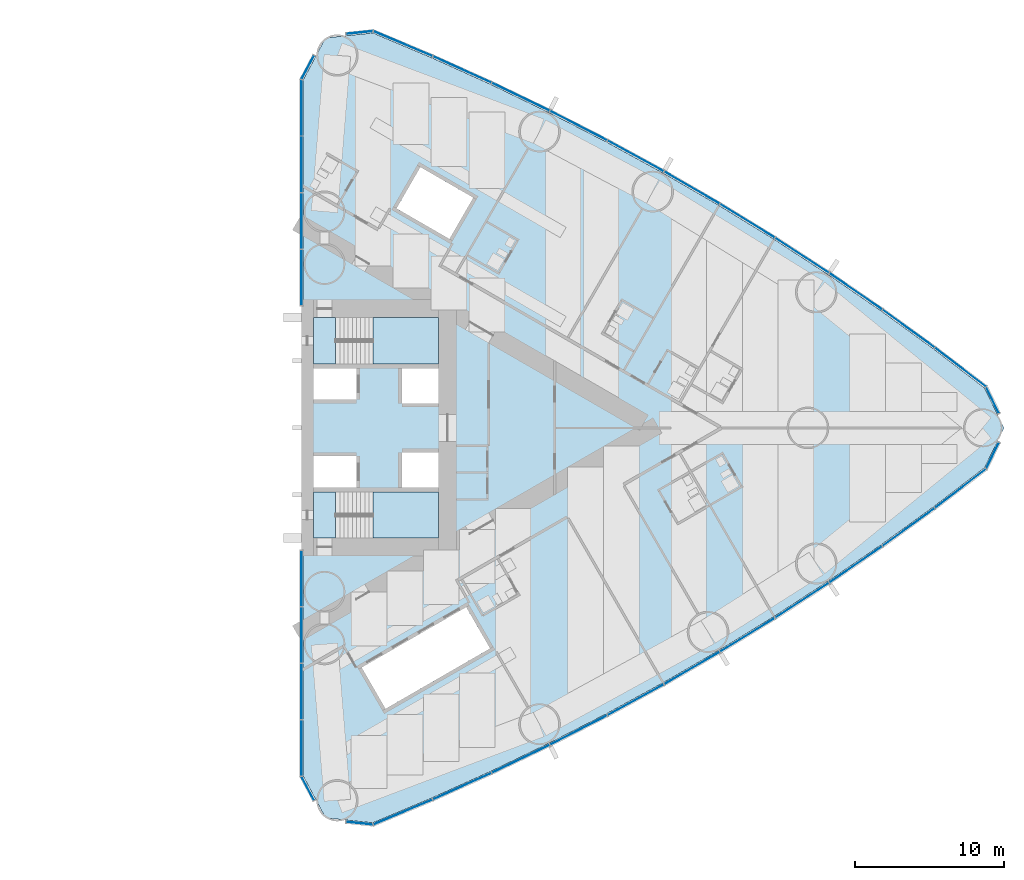
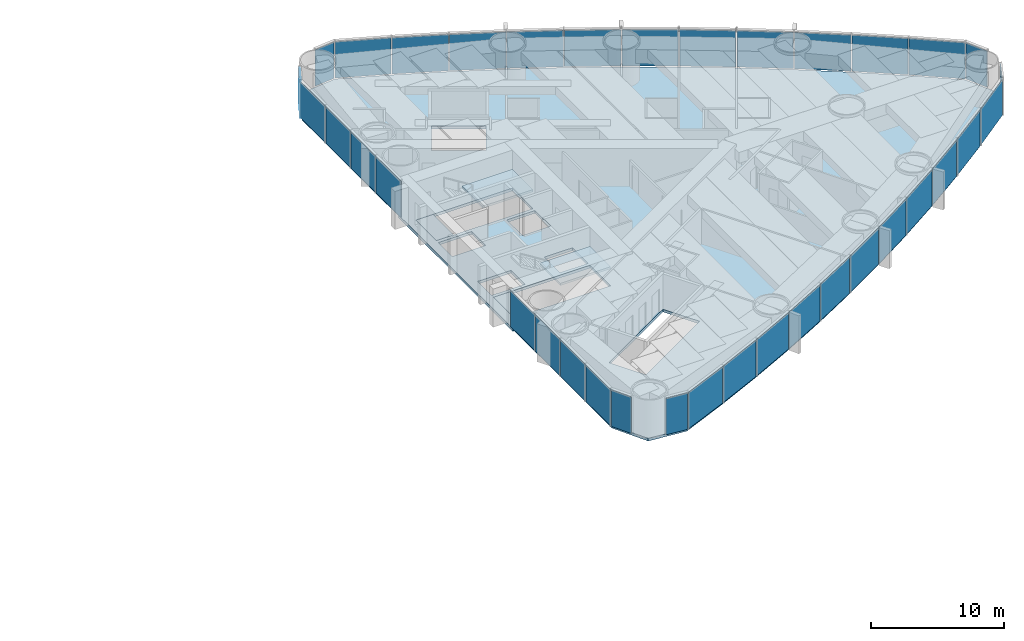
# One storey, part 10 of 19: 36 plates, 5 slabs, 6 elements without a shape of their own.
"""IFC4 building model written with IfcOpenShell, lengths in metres."""

from ifc_helpers import new_model, si_unit, direction, frame, origin, origin_2d, place, context, subcontext, project, spatial, polyline, rectangle, outline, extrude, material, layer, layer_set, type_object, element, aggregate, save


model = new_model("IFC4")

# Units and contexts
model_context = context("Model", 3, precision=1e-05, world=origin(), true_north=direction((0.0, 1.0)))
body_context = subcontext(model_context, "Body", "Model", "MODEL_VIEW")
ifc_project = project(units=[si_unit("LENGTHUNIT", "METRE"), si_unit("AREAUNIT", "SQUARE_METRE"), si_unit("VOLUMEUNIT", "CUBIC_METRE"), si_unit("PLANEANGLEUNIT", "RADIAN"), si_unit("MASSUNIT", "GRAM", prefix="KILO")], contexts=[model_context])

# Site, building, storey
site_placement = place(None, origin())
site = spatial("IfcSite", under=ifc_project, at=site_placement, CompositionType="ELEMENT")
building_placement = place(site_placement, origin())
building = spatial("IfcBuilding", under=site, at=building_placement, Name="Lancet Gate Hotel", CompositionType="ELEMENT")
storey_placement = place(building_placement, frame((0.0, 0.0, 25.0)))
storey = spatial("IfcBuildingStorey", under=building, at=storey_placement, Name="L05", CompositionType="ELEMENT", Elevation=25.0)

# Slab
ifc_material_1 = material(Name="Concrete C50/60", Category="concrete")
ifc_layer_1 = layer(ifc_material_1, 0.25)
ifc_layer_set_1 = layer_set([ifc_layer_1], Name="Floor slab 250")
slab_type_1 = type_object("IfcSlabType", Name="Floor slab 250", PredefinedType="FLOOR", material=ifc_layer_set_1)
slab_1_placement = place(storey_placement, frame((0.0, 0.0, -0.25)))
element("IfcSlab", 1, at=slab_1_placement, inside=storey, type_object=slab_type_1, Name="T2 L05 floor slab", PredefinedType="FLOOR", context=body_context, shape_type="SweptSolid", body=[
    extrude(outline(polyline([(27.5, -8.60009765625), (27.6201171875, -8.60009765625), (27.6201171875, -23.35498046875), (29.12158203125, -26.175537109375), (32.299072265625, -26.5048828125), (36.26708984375, -24.833740234375), (40.2177734375, -23.050048828125), (44.121826171875, -21.16650390625), (47.9765625, -19.18408203125), (51.77978515625, -17.104248046875), (55.528564453125, -14.92822265625), (59.220947265625, -12.657470703125), (62.854248046875, -10.29345703125), (66.42626953125, -7.837890625), (69.934814453125, -5.292236328125), (73.355712890625, -2.67431640625), (74.65576171875, 0.0), (73.355712890625, 2.67431640625), (69.934814453125, 5.292236328125), (66.42626953125, 7.837890625), (62.854248046875, 10.29345703125), (59.220947265625, 12.657470703125), (55.528564453125, 14.92822265625), (51.77978515625, 17.104248046875), (47.9765625, 19.18408203125), (44.121826171875, 21.16650390625), (40.2177734375, 23.050048828125), (36.26708984375, 24.833740234375), (32.299072265625, 26.5048828125), (29.12158203125, 26.175537109375), (27.6201171875, 23.35498046875), (27.6201171875, 8.60009765625), (27.5, 8.60009765625), (27.5, 8.199951171875), (27.5, -8.199951171875), (27.5, -8.60009765625)]), holes=[polyline([(36.699951171875, -7.39990234375), (36.699951171875, -4.300048828125), (28.300048828125, -4.300048828125), (28.300048828125, -7.39990234375), (36.699951171875, -7.39990234375)]), polyline([(28.300048828125, -4.0), (31.199951171875, -4.0), (31.199951171875, -1.89990234375), (28.300048828125, -1.89990234375), (28.300048828125, -4.0)]), polyline([(34.25, -4.0), (36.699951171875, -4.0), (36.699951171875, -1.64990234375), (34.25, -1.64990234375), (34.25, -4.0)]), polyline([(36.699951171875, 1.64990234375), (36.699951171875, 4.0), (34.25, 4.0), (34.25, 1.64990234375), (36.699951171875, 1.64990234375)]), polyline([(28.300048828125, 1.89990234375), (31.199951171875, 1.89990234375), (31.199951171875, 4.0), (28.300048828125, 4.0), (28.300048828125, 1.89990234375)]), polyline([(28.300048828125, 4.300048828125), (36.699951171875, 4.300048828125), (36.699951171875, 7.39990234375), (28.300048828125, 7.39990234375), (28.300048828125, 4.300048828125)]), polyline([(31.549072265625, -16.0810546875), (33.14892578125, -18.85205078125), (40.1640625, -14.802001953125), (38.56396484375, -12.031005859375), (31.549072265625, -16.0810546875)]), polyline([(33.887939453125, 14.73095703125), (37.43798828125, 12.680908203125), (39.0380859375, 15.451904296875), (35.488037109375, 17.501953125), (33.887939453125, 14.73095703125)])]), origin(), (0.0, 0.0, 1.0), 0.25),
])

# Stair, slabs
ifc_material_2 = material(Name="Exit stair 20 risers 1500")
stair_type = type_object("IfcStairType", Name="Exit stair 20 risers 1500", PredefinedType="HALF_TURN_STAIR", material=ifc_material_2)
stair_1_placement = place(storey_placement, origin())
stair_1 = element("IfcStair", 2, at=stair_1_placement, inside=storey, type_object=stair_type, Name="T2 stair 1 L05", PredefinedType="HALF_TURN_STAIR")
ifc_material_3 = material(Name="Concrete C40/50", Category="concrete")
ifc_layer_2 = layer(ifc_material_3, 0.199951171875)
ifc_layer_set_2 = layer_set([ifc_layer_2], Name="Stair landing 200")
slab_type_2 = type_object("IfcSlabType", Name="Stair landing 200", PredefinedType="LANDING", material=ifc_layer_set_2)
slab_2_placement = place(storey_placement, frame((0.0, 0.0, -0.199951171875)))
slab_2 = element("IfcSlab", 3, at=slab_2_placement, type_object=slab_type_2, Name="ST3 landing 1", PredefinedType="LANDING", context=body_context, shape_type="SweptSolid", body=[
    extrude(outline(polyline([(28.300048828125, -7.39990234375), (29.800048828125, -7.39990234375), (29.800048828125, -4.300048828125), (28.300048828125, -4.300048828125), (28.300048828125, -7.39990234375)])), origin(), (0.0, 0.0, 1.0), 0.199951171875),
])
slab_3_placement = place(storey_placement, frame((0.0, 0.0, 1.550048828125)))
slab_3 = element("IfcSlab", 4, at=slab_3_placement, type_object=slab_type_2, Name="ST3 landing 2", PredefinedType="LANDING", context=body_context, shape_type="SweptSolid", body=[
    extrude(outline(polyline([(32.320068359375, -7.39990234375), (36.699951171875, -7.39990234375), (36.699951171875, -4.300048828125), (32.320068359375, -4.300048828125), (32.320068359375, -7.39990234375)])), origin(), (0.0, 0.0, 1.0), 0.199951171875),
])
aggregate(stair_1, [slab_2, slab_3])

stair_2_placement = place(storey_placement, origin())
stair_2 = element("IfcStair", 5, at=stair_2_placement, inside=storey, type_object=stair_type, Name="T2 stair 2 L05", PredefinedType="HALF_TURN_STAIR")
slab_4_placement = place(storey_placement, frame((0.0, 0.0, -0.199951171875)))
slab_4 = element("IfcSlab", 6, at=slab_4_placement, type_object=slab_type_2, Name="ST4 landing 1", PredefinedType="LANDING", context=body_context, shape_type="SweptSolid", body=[
    extrude(outline(polyline([(28.300048828125, 4.300048828125), (29.800048828125, 4.300048828125), (29.800048828125, 7.39990234375), (28.300048828125, 7.39990234375), (28.300048828125, 4.300048828125)])), origin(), (0.0, 0.0, 1.0), 0.199951171875),
])
slab_5_placement = place(storey_placement, frame((0.0, 0.0, 1.550048828125)))
slab_5 = element("IfcSlab", 7, at=slab_5_placement, type_object=slab_type_2, Name="ST4 landing 2", PredefinedType="LANDING", context=body_context, shape_type="SweptSolid", body=[
    extrude(outline(polyline([(32.320068359375, 4.300048828125), (36.699951171875, 4.300048828125), (36.699951171875, 7.39990234375), (32.320068359375, 7.39990234375), (32.320068359375, 4.300048828125)])), origin(), (0.0, 0.0, 1.0), 0.199951171875),
])
aggregate(stair_2, [slab_4, slab_5])

# Curtain wall, plates
ifc_material_4 = material(Name="Aluminium curtain wall", Category="aluminium")
curtain_wall_type = type_object("IfcCurtainWallType", Name="Tower unitised curtain wall", PredefinedType="USERDEFINED", material=ifc_material_4)
curtain_wall_1_placement = place(storey_placement, origin())
curtain_wall_1 = element("IfcCurtainWall", 8, at=curtain_wall_1_placement, inside=storey, type_object=curtain_wall_type, Name="T2 L05 curtain wall 1", ObjectType="UNITISED CURTAIN WALL", PredefinedType="USERDEFINED")
ifc_material_5 = material(Name="Glass double glazed unit 8-16-6", Category="glass")
ifc_layer_3 = layer(ifc_material_5, 0.030029296875)
ifc_layer_set_3 = layer_set([ifc_layer_3], Name="Vision panel double glazed")
plate_type = type_object("IfcPlateType", Name="Vision panel double glazed", PredefinedType="CURTAIN_PANEL", material=ifc_layer_set_3)
plate_1_placement = place(storey_placement, frame((27.5, -10.09814453125, 0.0), z_axis=(0.0, 0.0, 1.0), x_axis=(0.0, -1.0, 0.0)))
plate_1 = element("IfcPlate", 9, at=plate_1_placement, type_object=plate_type, Name="T2 L05 curtain wall 1 panel 1", PredefinedType="CURTAIN_PANEL", context=body_context, shape_type="SweptSolid", body=[
    extrude(rectangle(XDim=3.731201171875, YDim=0.030029296875, at=origin_2d()), origin(), (0.0, 0.0, 1.0), 3.35009765625),
])
plate_2_placement = place(storey_placement, frame((27.5, -13.894287109375, 0.0), z_axis=(0.0, 0.0, 1.0), x_axis=(0.0, -1.0, 0.0)))
plate_2 = element("IfcPlate", 10, at=plate_2_placement, type_object=plate_type, Name="T2 L05 curtain wall 1 panel 2", PredefinedType="CURTAIN_PANEL", context=body_context, shape_type="SweptSolid", body=[
    extrude(rectangle(XDim=3.731201171875, YDim=0.030029296875, at=origin_2d()), origin(), (0.0, 0.0, 1.0), 3.35009765625),
])
plate_3_placement = place(storey_placement, frame((27.5, -17.6904296875, 0.0), z_axis=(0.0, 0.0, 1.0), x_axis=(0.0, -1.0, 0.0)))
plate_3 = element("IfcPlate", 11, at=plate_3_placement, type_object=plate_type, Name="T2 L05 curtain wall 1 panel 3", PredefinedType="CURTAIN_PANEL", context=body_context, shape_type="SweptSolid", body=[
    extrude(rectangle(XDim=3.731201171875, YDim=0.030029296875, at=origin_2d()), origin(), (0.0, 0.0, 1.0), 3.35009765625),
])
plate_4_placement = place(storey_placement, frame((27.5, -21.48681640625, 0.0), z_axis=(0.0, 0.0, 1.0), x_axis=(0.0, -1.0, 0.0)))
plate_4 = element("IfcPlate", 12, at=plate_4_placement, type_object=plate_type, Name="T2 L05 curtain wall 1 panel 4", PredefinedType="CURTAIN_PANEL", context=body_context, shape_type="SweptSolid", body=[
    extrude(rectangle(XDim=3.731201171875, YDim=0.030029296875, at=origin_2d()), origin(), (0.0, 0.0, 1.0), 3.35009765625),
])
plate_5_placement = place(storey_placement, frame((27.933349609375, -24.19873046875, 0.0), z_axis=(0.0, 0.0, 1.0), x_axis=(0.469897827284, -0.882720811987, 0.0)))
plate_5 = element("IfcPlate", 13, at=plate_5_placement, type_object=plate_type, Name="T2 L05 curtain wall 1 panel 5", PredefinedType="CURTAIN_PANEL", context=body_context, shape_type="SweptSolid", body=[
    extrude(rectangle(XDim=1.779052734375, YDim=0.030029296875, at=origin_2d()), origin(), (0.0, 0.0, 1.0), 3.35009765625),
])
aggregate(curtain_wall_1, [plate_1, plate_2, plate_3, plate_4, plate_5])

curtain_wall_2_placement = place(storey_placement, origin())
curtain_wall_2 = element("IfcCurtainWall", 14, at=curtain_wall_2_placement, inside=storey, type_object=curtain_wall_type, Name="T2 L05 curtain wall 2", ObjectType="UNITISED CURTAIN WALL", PredefinedType="USERDEFINED")
plate_6_placement = place(storey_placement, frame((31.400634765625, -26.532470703125, 0.0), z_axis=(0.0, 0.0, 1.0), x_axis=(0.994672262412, -0.10308778001, 0.0)))
plate_6 = element("IfcPlate", 15, at=plate_6_placement, type_object=plate_type, Name="T2 L05 curtain wall 2 panel 1", PredefinedType="CURTAIN_PANEL", context=body_context, shape_type="SweptSolid", body=[
    extrude(rectangle(XDim=1.7783203125, YDim=0.030029296875, at=origin_2d()), origin(), (0.0, 0.0, 1.0), 3.35009765625),
])
plate_7_placement = place(storey_placement, frame((34.316162109375, -25.78564453125, 0.0), z_axis=(0.0, 0.0, 1.0), x_axis=(0.92159330598, 0.38815689917, 0.0)))
plate_7 = element("IfcPlate", 16, at=plate_7_placement, type_object=plate_type, Name="T2 L05 curtain wall 2 panel 2", PredefinedType="CURTAIN_PANEL", context=body_context, shape_type="SweptSolid", body=[
    extrude(rectangle(XDim=4.272705078125, YDim=0.030029296875, at=origin_2d()), origin(), (0.0, 0.0, 1.0), 3.35009765625),
])
plate_8_placement = place(storey_placement, frame((38.291748046875, -24.05126953125, 0.0), z_axis=(0.0, 0.0, 1.0), x_axis=(0.911415640556, 0.41148697446, 0.0)))
plate_8 = element("IfcPlate", 17, at=plate_8_placement, type_object=plate_type, Name="T2 L05 curtain wall 2 panel 3", PredefinedType="CURTAIN_PANEL", context=body_context, shape_type="SweptSolid", body=[
    extrude(rectangle(XDim=4.272705078125, YDim=0.030029296875, at=origin_2d()), origin(), (0.0, 0.0, 1.0), 3.35009765625),
])
plate_9_placement = place(storey_placement, frame((42.221923828125, -22.21630859375, 0.0), z_axis=(0.0, 0.0, 1.0), x_axis=(0.90064748964, 0.434550456686, 0.0)))
plate_9 = element("IfcPlate", 18, at=plate_9_placement, type_object=plate_type, Name="T2 L05 curtain wall 2 panel 4", PredefinedType="CURTAIN_PANEL", context=body_context, shape_type="SweptSolid", body=[
    extrude(rectangle(XDim=4.272705078125, YDim=0.030029296875, at=origin_2d()), origin(), (0.0, 0.0, 1.0), 3.35009765625),
])
plate_10_placement = place(storey_placement, frame((46.10400390625, -20.281982421875, 0.0), z_axis=(0.0, 0.0, 1.0), x_axis=(0.889295829671, 0.457332403541, 0.0)))
plate_10 = element("IfcPlate", 19, at=plate_10_placement, type_object=plate_type, Name="T2 L05 curtain wall 2 panel 5", PredefinedType="CURTAIN_PANEL", context=body_context, shape_type="SweptSolid", body=[
    extrude(rectangle(XDim=4.272705078125, YDim=0.030029296875, at=origin_2d()), origin(), (0.0, 0.0, 1.0), 3.35009765625),
])
plate_11_placement = place(storey_placement, frame((49.935791015625, -18.249267578125, 0.0), z_axis=(0.0, 0.0, 1.0), x_axis=(0.877368015134, 0.47981805512, 0.0)))
plate_11 = element("IfcPlate", 20, at=plate_11_placement, type_object=plate_type, Name="T2 L05 curtain wall 2 panel 6", PredefinedType="CURTAIN_PANEL", context=body_context, shape_type="SweptSolid", body=[
    extrude(rectangle(XDim=4.272705078125, YDim=0.030029296875, at=origin_2d()), origin(), (0.0, 0.0, 1.0), 3.35009765625),
])
plate_12_placement = place(storey_placement, frame((53.71435546875, -16.119873046875, 0.0), z_axis=(0.0, 0.0, 1.0), x_axis=(0.864871773788, 0.501992843479, 0.0)))
plate_12 = element("IfcPlate", 21, at=plate_12_placement, type_object=plate_type, Name="T2 L05 curtain wall 2 panel 7", PredefinedType="CURTAIN_PANEL", context=body_context, shape_type="SweptSolid", body=[
    extrude(rectangle(XDim=4.272705078125, YDim=0.030029296875, at=origin_2d()), origin(), (0.0, 0.0, 1.0), 3.35009765625),
])
plate_13_placement = place(storey_placement, frame((57.437744140625, -13.89501953125, 0.0), z_axis=(0.0, 0.0, 1.0), x_axis=(0.851815201664, 0.523842402077, 0.0)))
plate_13 = element("IfcPlate", 22, at=plate_13_placement, type_object=plate_type, Name="T2 L05 curtain wall 2 panel 8", PredefinedType="CURTAIN_PANEL", context=body_context, shape_type="SweptSolid", body=[
    extrude(rectangle(XDim=4.272705078125, YDim=0.030029296875, at=origin_2d()), origin(), (0.0, 0.0, 1.0), 3.35009765625),
])
plate_14_placement = place(storey_placement, frame((61.10302734375, -11.576171875, 0.0), z_axis=(0.0, 0.0, 1.0), x_axis=(0.838206757819, 0.54535257508, 0.0)))
plate_14 = element("IfcPlate", 23, at=plate_14_placement, type_object=plate_type, Name="T2 L05 curtain wall 2 panel 9", PredefinedType="CURTAIN_PANEL", context=body_context, shape_type="SweptSolid", body=[
    extrude(rectangle(XDim=4.272705078125, YDim=0.030029296875, at=origin_2d()), origin(), (0.0, 0.0, 1.0), 3.35009765625),
])
plate_15_placement = place(storey_placement, frame((64.708251953125, -9.16455078125, 0.0), z_axis=(0.0, 0.0, 1.0), x_axis=(0.824055258853, 0.566509426538, 0.0)))
plate_15 = element("IfcPlate", 24, at=plate_15_placement, type_object=plate_type, Name="T2 L05 curtain wall 2 panel 10", PredefinedType="CURTAIN_PANEL", context=body_context, shape_type="SweptSolid", body=[
    extrude(rectangle(XDim=4.272705078125, YDim=0.030029296875, at=origin_2d()), origin(), (0.0, 0.0, 1.0), 3.35009765625),
])
plate_16_placement = place(storey_placement, frame((68.2509765625, -6.662109375, 0.0), z_axis=(0.0, 0.0, 1.0), x_axis=(0.809369873203, 0.587299249405, 0.0)))
plate_16 = element("IfcPlate", 25, at=plate_16_placement, type_object=plate_type, Name="T2 L05 curtain wall 2 panel 11", PredefinedType="CURTAIN_PANEL", context=body_context, shape_type="SweptSolid", body=[
    extrude(rectangle(XDim=4.272705078125, YDim=0.030029296875, at=origin_2d()), origin(), (0.0, 0.0, 1.0), 3.35009765625),
])
plate_17_placement = place(storey_placement, frame((71.72900390625, -4.0703125, 0.0), z_axis=(0.0, 0.0, 1.0), x_axis=(0.794160115195, 0.607708574428, 0.0)))
plate_17 = element("IfcPlate", 26, at=plate_17_placement, type_object=plate_type, Name="T2 L05 curtain wall 2 panel 12", PredefinedType="CURTAIN_PANEL", context=body_context, shape_type="SweptSolid", body=[
    extrude(rectangle(XDim=4.272705078125, YDim=0.030029296875, at=origin_2d()), origin(), (0.0, 0.0, 1.0), 3.35009765625),
])
plate_18_placement = place(storey_placement, frame((73.88671875, -1.856201171875, 0.0), z_axis=(0.0, 0.0, 1.0), x_axis=(0.437169070119, 0.899379343843, 0.0)))
plate_18 = element("IfcPlate", 27, at=plate_18_placement, type_object=plate_type, Name="T2 L05 curtain wall 2 panel 13", PredefinedType="CURTAIN_PANEL", context=body_context, shape_type="SweptSolid", body=[
    extrude(rectangle(XDim=1.92724609375, YDim=0.030029296875, at=origin_2d()), origin(), (0.0, 0.0, 1.0), 3.35009765625),
])
aggregate(curtain_wall_2, [plate_6, plate_7, plate_8, plate_9, plate_10, plate_11, plate_12, plate_13, plate_14, plate_15, plate_16, plate_17, plate_18])

curtain_wall_3_placement = place(storey_placement, origin())
curtain_wall_3 = element("IfcCurtainWall", 28, at=curtain_wall_3_placement, inside=storey, type_object=curtain_wall_type, Name="T2 L05 curtain wall 3", ObjectType="UNITISED CURTAIN WALL", PredefinedType="USERDEFINED")
plate_19_placement = place(storey_placement, frame((73.88671875, 1.856201171875, 0.0), z_axis=(0.0, 0.0, 1.0), x_axis=(-0.437169070119, 0.899379343843, 0.0)))
plate_19 = element("IfcPlate", 29, at=plate_19_placement, type_object=plate_type, Name="T2 L05 curtain wall 3 panel 1", PredefinedType="CURTAIN_PANEL", context=body_context, shape_type="SweptSolid", body=[
    extrude(rectangle(XDim=1.92724609375, YDim=0.030029296875, at=origin_2d()), origin(), (0.0, 0.0, 1.0), 3.35009765625),
])
plate_20_placement = place(storey_placement, frame((71.72900390625, 4.0703125, 0.0), z_axis=(0.0, 0.0, 1.0), x_axis=(-0.794160115195, 0.607708574428, 0.0)))
plate_20 = element("IfcPlate", 30, at=plate_20_placement, type_object=plate_type, Name="T2 L05 curtain wall 3 panel 2", PredefinedType="CURTAIN_PANEL", context=body_context, shape_type="SweptSolid", body=[
    extrude(rectangle(XDim=4.272705078125, YDim=0.030029296875, at=origin_2d()), origin(), (0.0, 0.0, 1.0), 3.35009765625),
])
plate_21_placement = place(storey_placement, frame((68.2509765625, 6.662109375, 0.0), z_axis=(0.0, 0.0, 1.0), x_axis=(-0.809369873203, 0.587299249405, 0.0)))
plate_21 = element("IfcPlate", 31, at=plate_21_placement, type_object=plate_type, Name="T2 L05 curtain wall 3 panel 3", PredefinedType="CURTAIN_PANEL", context=body_context, shape_type="SweptSolid", body=[
    extrude(rectangle(XDim=4.272705078125, YDim=0.030029296875, at=origin_2d()), origin(), (0.0, 0.0, 1.0), 3.35009765625),
])
plate_22_placement = place(storey_placement, frame((64.708251953125, 9.16455078125, 0.0), z_axis=(0.0, 0.0, 1.0), x_axis=(-0.824055258853, 0.566509426538, 0.0)))
plate_22 = element("IfcPlate", 32, at=plate_22_placement, type_object=plate_type, Name="T2 L05 curtain wall 3 panel 4", PredefinedType="CURTAIN_PANEL", context=body_context, shape_type="SweptSolid", body=[
    extrude(rectangle(XDim=4.272705078125, YDim=0.030029296875, at=origin_2d()), origin(), (0.0, 0.0, 1.0), 3.35009765625),
])
plate_23_placement = place(storey_placement, frame((61.10302734375, 11.576171875, 0.0), z_axis=(0.0, 0.0, 1.0), x_axis=(-0.838206757819, 0.54535257508, 0.0)))
plate_23 = element("IfcPlate", 33, at=plate_23_placement, type_object=plate_type, Name="T2 L05 curtain wall 3 panel 5", PredefinedType="CURTAIN_PANEL", context=body_context, shape_type="SweptSolid", body=[
    extrude(rectangle(XDim=4.272705078125, YDim=0.030029296875, at=origin_2d()), origin(), (0.0, 0.0, 1.0), 3.35009765625),
])
plate_24_placement = place(storey_placement, frame((57.437744140625, 13.89501953125, 0.0), z_axis=(0.0, 0.0, 1.0), x_axis=(-0.851815201664, 0.523842402077, 0.0)))
plate_24 = element("IfcPlate", 34, at=plate_24_placement, type_object=plate_type, Name="T2 L05 curtain wall 3 panel 6", PredefinedType="CURTAIN_PANEL", context=body_context, shape_type="SweptSolid", body=[
    extrude(rectangle(XDim=4.272705078125, YDim=0.030029296875, at=origin_2d()), origin(), (0.0, 0.0, 1.0), 3.35009765625),
])
plate_25_placement = place(storey_placement, frame((53.71435546875, 16.119873046875, 0.0), z_axis=(0.0, 0.0, 1.0), x_axis=(-0.864871773788, 0.501992843479, 0.0)))
plate_25 = element("IfcPlate", 35, at=plate_25_placement, type_object=plate_type, Name="T2 L05 curtain wall 3 panel 7", PredefinedType="CURTAIN_PANEL", context=body_context, shape_type="SweptSolid", body=[
    extrude(rectangle(XDim=4.272705078125, YDim=0.030029296875, at=origin_2d()), origin(), (0.0, 0.0, 1.0), 3.35009765625),
])
plate_26_placement = place(storey_placement, frame((49.935791015625, 18.249267578125, 0.0), z_axis=(0.0, 0.0, 1.0), x_axis=(-0.877368015134, 0.47981805512, 0.0)))
plate_26 = element("IfcPlate", 36, at=plate_26_placement, type_object=plate_type, Name="T2 L05 curtain wall 3 panel 8", PredefinedType="CURTAIN_PANEL", context=body_context, shape_type="SweptSolid", body=[
    extrude(rectangle(XDim=4.272705078125, YDim=0.030029296875, at=origin_2d()), origin(), (0.0, 0.0, 1.0), 3.35009765625),
])
plate_27_placement = place(storey_placement, frame((46.10400390625, 20.281982421875, 0.0), z_axis=(0.0, 0.0, 1.0), x_axis=(-0.889295829671, 0.457332403541, 0.0)))
plate_27 = element("IfcPlate", 37, at=plate_27_placement, type_object=plate_type, Name="T2 L05 curtain wall 3 panel 9", PredefinedType="CURTAIN_PANEL", context=body_context, shape_type="SweptSolid", body=[
    extrude(rectangle(XDim=4.272705078125, YDim=0.030029296875, at=origin_2d()), origin(), (0.0, 0.0, 1.0), 3.35009765625),
])
plate_28_placement = place(storey_placement, frame((42.221923828125, 22.21630859375, 0.0), z_axis=(0.0, 0.0, 1.0), x_axis=(-0.90064748964, 0.434550456686, 0.0)))
plate_28 = element("IfcPlate", 38, at=plate_28_placement, type_object=plate_type, Name="T2 L05 curtain wall 3 panel 10", PredefinedType="CURTAIN_PANEL", context=body_context, shape_type="SweptSolid", body=[
    extrude(rectangle(XDim=4.272705078125, YDim=0.030029296875, at=origin_2d()), origin(), (0.0, 0.0, 1.0), 3.35009765625),
])
plate_29_placement = place(storey_placement, frame((38.291748046875, 24.05126953125, 0.0), z_axis=(0.0, 0.0, 1.0), x_axis=(-0.911415640556, 0.41148697446, 0.0)))
plate_29 = element("IfcPlate", 39, at=plate_29_placement, type_object=plate_type, Name="T2 L05 curtain wall 3 panel 11", PredefinedType="CURTAIN_PANEL", context=body_context, shape_type="SweptSolid", body=[
    extrude(rectangle(XDim=4.272705078125, YDim=0.030029296875, at=origin_2d()), origin(), (0.0, 0.0, 1.0), 3.35009765625),
])
plate_30_placement = place(storey_placement, frame((34.316162109375, 25.78564453125, 0.0), z_axis=(0.0, 0.0, 1.0), x_axis=(-0.92159330598, 0.38815689917, 0.0)))
plate_30 = element("IfcPlate", 40, at=plate_30_placement, type_object=plate_type, Name="T2 L05 curtain wall 3 panel 12", PredefinedType="CURTAIN_PANEL", context=body_context, shape_type="SweptSolid", body=[
    extrude(rectangle(XDim=4.272705078125, YDim=0.030029296875, at=origin_2d()), origin(), (0.0, 0.0, 1.0), 3.35009765625),
])
plate_31_placement = place(storey_placement, frame((31.400634765625, 26.532470703125, 0.0), z_axis=(0.0, 0.0, 1.0), x_axis=(-0.994672262412, -0.10308778001, 0.0)))
plate_31 = element("IfcPlate", 41, at=plate_31_placement, type_object=plate_type, Name="T2 L05 curtain wall 3 panel 13", PredefinedType="CURTAIN_PANEL", context=body_context, shape_type="SweptSolid", body=[
    extrude(rectangle(XDim=1.7783203125, YDim=0.030029296875, at=origin_2d()), origin(), (0.0, 0.0, 1.0), 3.35009765625),
])
aggregate(curtain_wall_3, [plate_19, plate_20, plate_21, plate_22, plate_23, plate_24, plate_25, plate_26, plate_27, plate_28, plate_29, plate_30, plate_31])

curtain_wall_4_placement = place(storey_placement, origin())
curtain_wall_4 = element("IfcCurtainWall", 42, at=curtain_wall_4_placement, inside=storey, type_object=curtain_wall_type, Name="T2 L05 curtain wall 4", ObjectType="UNITISED CURTAIN WALL", PredefinedType="USERDEFINED")
plate_32_placement = place(storey_placement, frame((27.933349609375, 24.19873046875, 0.0), z_axis=(0.0, 0.0, 1.0), x_axis=(-0.469897827284, -0.882720811987, 0.0)))
plate_32 = element("IfcPlate", 43, at=plate_32_placement, type_object=plate_type, Name="T2 L05 curtain wall 4 panel 1", PredefinedType="CURTAIN_PANEL", context=body_context, shape_type="SweptSolid", body=[
    extrude(rectangle(XDim=1.779052734375, YDim=0.030029296875, at=origin_2d()), origin(), (0.0, 0.0, 1.0), 3.35009765625),
])
plate_33_placement = place(storey_placement, frame((27.5, 21.48681640625, 0.0), z_axis=(0.0, 0.0, 1.0), x_axis=(0.0, -1.0, 0.0)))
plate_33 = element("IfcPlate", 44, at=plate_33_placement, type_object=plate_type, Name="T2 L05 curtain wall 4 panel 2", PredefinedType="CURTAIN_PANEL", context=body_context, shape_type="SweptSolid", body=[
    extrude(rectangle(XDim=3.731201171875, YDim=0.030029296875, at=origin_2d()), origin(), (0.0, 0.0, 1.0), 3.35009765625),
])
plate_34_placement = place(storey_placement, frame((27.5, 17.6904296875, 0.0), z_axis=(0.0, 0.0, 1.0), x_axis=(0.0, -1.0, 0.0)))
plate_34 = element("IfcPlate", 45, at=plate_34_placement, type_object=plate_type, Name="T2 L05 curtain wall 4 panel 3", PredefinedType="CURTAIN_PANEL", context=body_context, shape_type="SweptSolid", body=[
    extrude(rectangle(XDim=3.731201171875, YDim=0.030029296875, at=origin_2d()), origin(), (0.0, 0.0, 1.0), 3.35009765625),
])
plate_35_placement = place(storey_placement, frame((27.5, 13.894287109375, 0.0), z_axis=(0.0, 0.0, 1.0), x_axis=(0.0, -1.0, 0.0)))
plate_35 = element("IfcPlate", 46, at=plate_35_placement, type_object=plate_type, Name="T2 L05 curtain wall 4 panel 4", PredefinedType="CURTAIN_PANEL", context=body_context, shape_type="SweptSolid", body=[
    extrude(rectangle(XDim=3.731201171875, YDim=0.030029296875, at=origin_2d()), origin(), (0.0, 0.0, 1.0), 3.35009765625),
])
plate_36_placement = place(storey_placement, frame((27.5, 10.09814453125, 0.0), z_axis=(0.0, 0.0, 1.0), x_axis=(0.0, -1.0, 0.0)))
plate_36 = element("IfcPlate", 47, at=plate_36_placement, type_object=plate_type, Name="T2 L05 curtain wall 4 panel 5", PredefinedType="CURTAIN_PANEL", context=body_context, shape_type="SweptSolid", body=[
    extrude(rectangle(XDim=3.731201171875, YDim=0.030029296875, at=origin_2d()), origin(), (0.0, 0.0, 1.0), 3.35009765625),
])
aggregate(curtain_wall_4, [plate_32, plate_33, plate_34, plate_35, plate_36])

save(model, "model.ifc")
